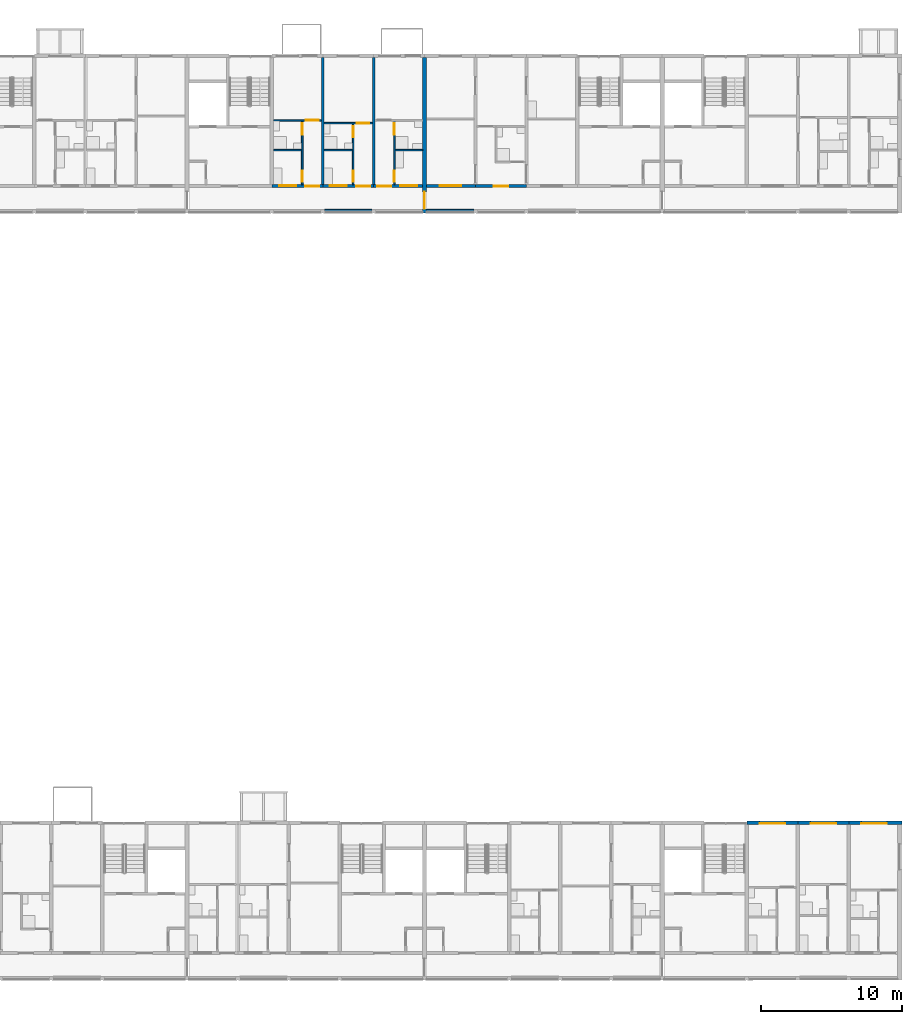
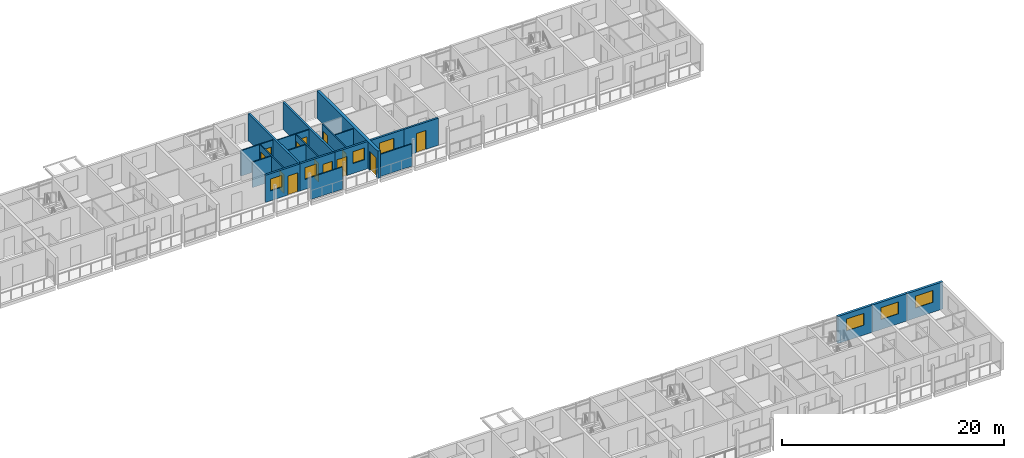
# One storey, part 56 of 98: 21 walls, 13 doors, 7 windows, 20 openings.
"""IFC4 building model written with IfcOpenShell, lengths in metres."""

from ifc_helpers import new_model, si_unit, direction, frame, frame_2d, origin, place, context, subcontext, project, spatial, rectangle, extrude, material, layer, layer_set, type_object, element, fill, save


model = new_model("IFC4")

# Units and contexts
model_context = context("Model", 3, precision=1e-05, world=origin(), true_north=direction((0.0, 1.0)))
body_context = subcontext(model_context, "Body", "Model", "MODEL_VIEW")
ifc_project = project(units=[si_unit("LENGTHUNIT", "METRE"), si_unit("AREAUNIT", "SQUARE_METRE"), si_unit("VOLUMEUNIT", "CUBIC_METRE"), si_unit("PLANEANGLEUNIT", "RADIAN"), si_unit("MASSUNIT", "GRAM", prefix="KILO")], contexts=[model_context])

# Site, building, storey
site_placement = place(None, origin())
site = spatial("IfcSite", under=ifc_project, at=site_placement, CompositionType="ELEMENT")
building_placement = place(site_placement, origin())
building = spatial("IfcBuilding", under=site, at=building_placement, Name="Ridgestep Commons", CompositionType="ELEMENT")
storey_placement = place(building_placement, frame((0.0, 0.0, 12.0)))
storey = spatial("IfcBuildingStorey", under=building, at=storey_placement, Name="L04", CompositionType="ELEMENT", Elevation=12.0)

# Walls
ifc_material_1 = material(Name="Precast concrete C40/50", Category="concrete")
ifc_layer_1 = layer(ifc_material_1, 0.199951171875)
ifc_layer_set_1 = layer_set([ifc_layer_1], Name="Cross wall 200")
wall_type_1 = type_object("IfcWallType", Name="Cross wall 200", PredefinedType="SHEAR", material=ifc_layer_set_1)
for number, where, z_axis, x_axis, name in (
    (1, (206.800048828125, 68.0, 0.0), (0.0, 0.0, 1.0), (0.0, 1.0, 0.0), "Cross wall C-04-2068"),
    (2, (210.39990234375, 68.0, 0.0), (0.0, 0.0, 1.0), (0.0, 1.0, 0.0), "Cross wall C-04-2104"),
):
    element("IfcWall", number, at=place(storey_placement, frame(where, z_axis=z_axis, x_axis=x_axis)), inside=storey, type_object=wall_type_1, Name=name, PredefinedType="SHEAR", context=body_context, shape_type="SweptSolid", body=[
        extrude(rectangle(XDim=9.0, YDim=0.199951171875, at=frame_2d((4.5, 0.0))), origin(), (0.0, 0.0, 1.0), 3.0),
    ])

# Wall, opening, door
ifc_material_2 = material(Name="Precast concrete C40/50", Category="concrete")
ifc_layer_2 = layer(ifc_material_2, 0.300048828125)
ifc_layer_set_2 = layer_set([ifc_layer_2], Name="Division wall 300")
wall_type_2 = type_object("IfcWallType", Name="Division wall 300", PredefinedType="SHEAR", material=ifc_layer_set_2)
wall_1_placement = place(storey_placement, frame((214.0, 66.0, 0.0), z_axis=(0.0, 0.0, 1.0), x_axis=(0.0, 1.0, 0.0)))
wall_1 = element("IfcWall", 3, at=wall_1_placement, inside=storey, type_object=wall_type_2, Name="Cross wall C-04-2140", PredefinedType="SHEAR", context=body_context, shape_type="SweptSolid", body=[
    extrude(rectangle(XDim=11.0, YDim=0.300048828125, at=frame_2d((5.5, 0.0))), origin(), (0.0, 0.0, 1.0), 3.0),
])
opening_1_placement = place(wall_1_placement, frame((0.300048828125, 0.0, 0.0)))
opening_1 = element("IfcOpeningElement", 4, at=opening_1_placement, cuts=wall_1, Name="Opening C/04/G2140", PredefinedType="OPENING", context=body_context, shape_type="SweptSolid", body=[
    extrude(rectangle(XDim=1.199951171875, YDim=2.10009765625, at=frame_2d((0.60009765625, 1.050048828125))), frame((0.0, 0.159912109375, 0.0), z_axis=(0.0, -1.0, 0.0), x_axis=(1.0, 0.0, 0.0)), (0.0, 0.0, 1.0), 0.320068359375),
])
ifc_material_3 = material(Name="Steel fire door", Category="steel")
door_type_1 = type_object("IfcDoorType", Name="Division fire door 1200 x 2100 EI 240", OperationType="DOUBLE_DOOR_SINGLE_SWING", PredefinedType="DOOR", material=ifc_material_3)
door_1_placement = place(opening_1_placement, origin())
door_1 = element("IfcDoor", 5, at=door_1_placement, inside=storey, type_object=door_type_1, Name="Division fire door C/04/G2140", OperationType="DOUBLE_DOOR_SINGLE_SWING", OverallHeight=2.10009765625, OverallWidth=1.199951171875, PredefinedType="DOOR", context=body_context, shape_type="SweptSolid", body=[
    extrude(rectangle(XDim=1.199951171875, YDim=2.10009765625, at=frame_2d((0.60009765625, 1.050048828125))), frame((0.0, 0.02490234375, 0.0), z_axis=(0.0, -1.0, 0.0), x_axis=(1.0, 0.0, 0.0)), (0.0, 0.0, 1.0), 0.050048828125),
])
fill(opening_1, door_1)

# Wall, opening, window
ifc_material_4 = material(Name="Precast concrete C40/50", Category="concrete")
ifc_layer_3 = layer(ifc_material_4, 0.25)
ifc_layer_set_3 = layer_set([ifc_layer_3], Name="North facade panel 250")
wall_type_3 = type_object("IfcWallType", Name="North facade panel 250", PredefinedType="SOLIDWALL", material=ifc_layer_set_3)
wall_2_placement = place(storey_placement, frame((236.800048828125, 22.875, 0.0), z_axis=(0.0, 0.0, 1.0), x_axis=(1.0, 0.0, 0.0)))
wall_2 = element("IfcWall", 6, at=wall_2_placement, inside=storey, type_object=wall_type_3, Name="North panel D6T3 L04", PredefinedType="SOLIDWALL", context=body_context, shape_type="SweptSolid", body=[
    extrude(rectangle(XDim=3.599853515625, YDim=0.25, at=frame_2d((1.7998046875, 0.0))), origin(), (0.0, 0.0, 1.0), 3.0),
])
opening_2_placement = place(wall_2_placement, frame((0.89990234375, 0.0, 1.10009765625)))
opening_2 = element("IfcOpeningElement", 7, at=opening_2_placement, cuts=wall_2, Name="Opening W18", PredefinedType="OPENING", context=body_context, shape_type="SweptSolid", body=[
    extrude(rectangle(XDim=1.800048828125, YDim=1.300048828125, at=frame_2d((0.89990234375, 0.64990234375))), frame((0.0, 0.135009765625, 0.0), z_axis=(0.0, -1.0, 0.0), x_axis=(1.0, 0.0, 0.0)), (0.0, 0.0, 1.0), 0.27001953125),
])
ifc_material_5 = material(Name="Aluminium 6063-T6 and glass", Category="aluminium")
window_type_1 = type_object("IfcWindowType", Name="Flat window 1800 x 1300", PartitioningType="DOUBLE_PANEL_VERTICAL", PredefinedType="WINDOW", material=ifc_material_5)
window_1_placement = place(opening_2_placement, origin())
window_1 = element("IfcWindow", 8, at=window_1_placement, inside=storey, type_object=window_type_1, Name="Window D6-04c 2", OverallHeight=1.300048828125, OverallWidth=1.800048828125, PartitioningType="SINGLE_PANEL", PredefinedType="WINDOW", context=body_context, shape_type="SweptSolid", body=[
    extrude(rectangle(XDim=1.800048828125, YDim=1.300048828125, at=frame_2d((0.89990234375, 0.64990234375))), frame((0.0, -0.02490234375, 0.0), z_axis=(0.0, -1.0, 0.0), x_axis=(1.0, 0.0, 0.0)), (0.0, 0.0, 1.0), 0.06005859375),
])
fill(opening_2, window_1)

wall_3_placement = place(storey_placement, frame((240.39990234375, 22.875, 0.0), z_axis=(0.0, 0.0, 1.0), x_axis=(1.0, 0.0, 0.0)))
wall_3 = element("IfcWall", 9, at=wall_3_placement, inside=storey, type_object=wall_type_3, Name="North panel D6T2 L04", PredefinedType="SOLIDWALL", context=body_context, shape_type="SweptSolid", body=[
    extrude(rectangle(XDim=3.60009765625, YDim=0.25, at=frame_2d((1.800048828125, 0.0))), origin(), (0.0, 0.0, 1.0), 3.0),
])
opening_3_placement = place(wall_3_placement, frame((0.89990234375, 0.0, 1.10009765625)))
opening_3 = element("IfcOpeningElement", 10, at=opening_3_placement, cuts=wall_3, Name="Opening W18", PredefinedType="OPENING", context=body_context, shape_type="SweptSolid", body=[
    extrude(rectangle(XDim=1.800048828125, YDim=1.300048828125, at=frame_2d((0.89990234375, 0.64990234375))), frame((0.0, 0.135009765625, 0.0), z_axis=(0.0, -1.0, 0.0), x_axis=(1.0, 0.0, 0.0)), (0.0, 0.0, 1.0), 0.27001953125),
])
window_2_placement = place(opening_3_placement, origin())
window_2 = element("IfcWindow", 11, at=window_2_placement, inside=storey, type_object=window_type_1, Name="Window D6-04b 2", OverallHeight=1.300048828125, OverallWidth=1.800048828125, PartitioningType="SINGLE_PANEL", PredefinedType="WINDOW", context=body_context, shape_type="SweptSolid", body=[
    extrude(rectangle(XDim=1.800048828125, YDim=1.300048828125, at=frame_2d((0.89990234375, 0.64990234375))), frame((0.0, -0.02490234375, 0.0), z_axis=(0.0, -1.0, 0.0), x_axis=(1.0, 0.0, 0.0)), (0.0, 0.0, 1.0), 0.06005859375),
])
fill(opening_3, window_2)

wall_4_placement = place(storey_placement, frame((244.0, 22.875, 0.0), z_axis=(0.0, 0.0, 1.0), x_axis=(1.0, 0.0, 0.0)))
wall_4 = element("IfcWall", 12, at=wall_4_placement, inside=storey, type_object=wall_type_3, Name="North panel D6T1 L04", PredefinedType="SOLIDWALL", context=body_context, shape_type="SweptSolid", body=[
    extrude(rectangle(XDim=3.75, YDim=0.25, at=frame_2d((1.875, 0.0))), origin(), (0.0, 0.0, 1.0), 3.0),
])
opening_4_placement = place(wall_4_placement, frame((0.887451171875, 0.0, 1.10009765625)))
opening_4 = element("IfcOpeningElement", 13, at=opening_4_placement, cuts=wall_4, Name="Opening W18", PredefinedType="OPENING", context=body_context, shape_type="SweptSolid", body=[
    extrude(rectangle(XDim=1.800048828125, YDim=1.300048828125, at=frame_2d((0.89990234375, 0.64990234375))), frame((0.0, 0.135009765625, 0.0), z_axis=(0.0, -1.0, 0.0), x_axis=(1.0, 0.0, 0.0)), (0.0, 0.0, 1.0), 0.27001953125),
])
window_3_placement = place(opening_4_placement, origin())
window_3 = element("IfcWindow", 14, at=window_3_placement, inside=storey, type_object=window_type_1, Name="Window D6-04a 2", OverallHeight=1.300048828125, OverallWidth=1.800048828125, PartitioningType="SINGLE_PANEL", PredefinedType="WINDOW", context=body_context, shape_type="SweptSolid", body=[
    extrude(rectangle(XDim=1.800048828125, YDim=1.300048828125, at=frame_2d((0.89990234375, 0.64990234375))), frame((0.0, -0.02490234375, 0.0), z_axis=(0.0, -1.0, 0.0), x_axis=(1.0, 0.0, 0.0)), (0.0, 0.0, 1.0), 0.06005859375),
])
fill(opening_4, window_3)

# Wall, openings, doors
ifc_material_6 = material(Name="Common brick 110 mm", Category="masonry")
ifc_layer_4 = layer(ifc_material_6, 0.110107421875)
ifc_layer_set_4 = layer_set([ifc_layer_4], Name="Partition 110")
wall_type_4 = type_object("IfcWallType", Name="Partition 110", PredefinedType="PARTITIONING", material=ifc_layer_set_4)
wall_5_placement = place(storey_placement, frame((211.85498046875, 68.0, 0.0), z_axis=(0.0, 0.0, 1.0), x_axis=(0.0, 1.0, 0.0)))
wall_5 = element("IfcWall", 15, at=wall_5_placement, inside=storey, type_object=wall_type_4, Name="Partition C4-04a", PredefinedType="PARTITIONING", context=body_context, shape_type="SweptSolid", body=[
    extrude(rectangle(XDim=4.5, YDim=0.110107421875, at=frame_2d((2.25, 0.0))), origin(), (0.0, 0.0, 1.0), 2.800048828125),
])
opening_5_placement = place(wall_5_placement, frame((0.199951171875, 0.0, 0.0)))
opening_5 = element("IfcOpeningElement", 16, at=opening_5_placement, cuts=wall_5, Name="Opening C4-04a/2", PredefinedType="OPENING", context=body_context, shape_type="SweptSolid", body=[
    extrude(rectangle(XDim=0.800048828125, YDim=2.10009765625, at=frame_2d((0.39990234375, 1.050048828125))), frame((0.0, 0.06494140625, 0.0), z_axis=(0.0, -1.0, 0.0), x_axis=(1.0, 0.0, 0.0)), (0.0, 0.0, 1.0), 0.130126953125),
])
opening_6_placement = place(wall_5_placement, frame((3.550048828125, 0.0, 0.0)))
opening_6 = element("IfcOpeningElement", 17, at=opening_6_placement, cuts=wall_5, Name="Opening C4-04a/3", PredefinedType="OPENING", context=body_context, shape_type="SweptSolid", body=[
    extrude(rectangle(XDim=0.800048828125, YDim=2.10009765625, at=frame_2d((0.39990234375, 1.050048828125))), frame((0.0, 0.06494140625, 0.0), z_axis=(0.0, -1.0, 0.0), x_axis=(1.0, 0.0, 0.0)), (0.0, 0.0, 1.0), 0.130126953125),
])
ifc_material_7 = material(Name="Timber door leaf", Category="wood")
door_type_2 = type_object("IfcDoorType", Name="Internal door 800 x 2100", OperationType="NOTDEFINED", PredefinedType="DOOR", material=ifc_material_7)
door_2_placement = place(opening_5_placement, origin())
door_2 = element("IfcDoor", 18, at=door_2_placement, inside=storey, type_object=door_type_2, Name="Internal door C4-04a/2", OperationType="SINGLE_SWING_RIGHT", OverallHeight=2.10009765625, OverallWidth=0.800048828125, PredefinedType="DOOR", context=body_context, shape_type="SweptSolid", body=[
    extrude(rectangle(XDim=0.800048828125, YDim=2.10009765625, at=frame_2d((0.39990234375, 1.050048828125))), frame((0.0, 0.02490234375, 0.0), z_axis=(0.0, -1.0, 0.0), x_axis=(1.0, 0.0, 0.0)), (0.0, 0.0, 1.0), 0.050048828125),
])
fill(opening_5, door_2)
door_3_placement = place(opening_6_placement, origin())
door_3 = element("IfcDoor", 19, at=door_3_placement, inside=storey, type_object=door_type_2, Name="Internal door C4-04a/3", OperationType="SINGLE_SWING_LEFT", OverallHeight=2.10009765625, OverallWidth=0.800048828125, PredefinedType="DOOR", context=body_context, shape_type="SweptSolid", body=[
    extrude(rectangle(XDim=0.800048828125, YDim=2.10009765625, at=frame_2d((0.39990234375, 1.050048828125))), frame((0.0, 0.02490234375, 0.0), z_axis=(0.0, -1.0, 0.0), x_axis=(1.0, 0.0, 0.0)), (0.0, 0.0, 1.0), 0.050048828125),
])
fill(opening_6, door_3)

# Walls
wall_6_placement = place(storey_placement, frame((211.909912109375, 70.455078125, 0.0), z_axis=(0.0, 0.0, 1.0), x_axis=(1.0, 0.0, 0.0)))
element("IfcWall", 20, at=wall_6_placement, inside=storey, type_object=wall_type_4, Name="Partition C4-04a", PredefinedType="PARTITIONING", context=body_context, shape_type="SweptSolid", body=[
    extrude(rectangle(XDim=1.940185546875, YDim=0.110107421875, at=frame_2d((0.97021484375, 0.0))), origin(), (0.0, 0.0, 1.0), 2.800048828125),
])
wall_7_placement = place(storey_placement, frame((206.89990234375, 70.455078125, 0.0), z_axis=(0.0, 0.0, 1.0), x_axis=(1.0, 0.0, 0.0)))
element("IfcWall", 21, at=wall_7_placement, inside=storey, type_object=wall_type_4, Name="Partition C4-04b", PredefinedType="PARTITIONING", context=body_context, shape_type="SweptSolid", body=[
    extrude(rectangle(XDim=1.989990234375, YDim=0.110107421875, at=frame_2d((0.9951171875, 0.0))), origin(), (0.0, 0.0, 1.0), 2.800048828125),
])

# Wall, openings, doors
wall_8_placement = place(storey_placement, frame((208.945068359375, 68.0, 0.0), z_axis=(0.0, 0.0, 1.0), x_axis=(0.0, 1.0, 0.0)))
wall_8 = element("IfcWall", 22, at=wall_8_placement, inside=storey, type_object=wall_type_4, Name="Partition C4-04b", PredefinedType="PARTITIONING", context=body_context, shape_type="SweptSolid", body=[
    extrude(rectangle(XDim=4.300048828125, YDim=0.110107421875, at=frame_2d((2.14990234375, 0.0))), origin(), (0.0, 0.0, 1.0), 2.800048828125),
])
opening_7_placement = place(wall_8_placement, frame((0.199951171875, 0.0, 0.0)))
opening_7 = element("IfcOpeningElement", 23, at=opening_7_placement, cuts=wall_8, Name="Opening C4-04b/2", PredefinedType="OPENING", context=body_context, shape_type="SweptSolid", body=[
    extrude(rectangle(XDim=0.800048828125, YDim=2.10009765625, at=frame_2d((0.39990234375, 1.050048828125))), frame((0.0, 0.06494140625, 0.0), z_axis=(0.0, -1.0, 0.0), x_axis=(1.0, 0.0, 0.0)), (0.0, 0.0, 1.0), 0.130126953125),
])
opening_8_placement = place(wall_8_placement, frame((3.35009765625, 0.0, 0.0)))
opening_8 = element("IfcOpeningElement", 24, at=opening_8_placement, cuts=wall_8, Name="Opening C4-04b/3", PredefinedType="OPENING", context=body_context, shape_type="SweptSolid", body=[
    extrude(rectangle(XDim=0.800048828125, YDim=2.10009765625, at=frame_2d((0.39990234375, 1.050048828125))), frame((0.0, 0.06494140625, 0.0), z_axis=(0.0, -1.0, 0.0), x_axis=(1.0, 0.0, 0.0)), (0.0, 0.0, 1.0), 0.130126953125),
])
door_4_placement = place(opening_7_placement, origin())
door_4 = element("IfcDoor", 25, at=door_4_placement, inside=storey, type_object=door_type_2, Name="Internal door C4-04b/2", OperationType="SINGLE_SWING_LEFT", OverallHeight=2.10009765625, OverallWidth=0.800048828125, PredefinedType="DOOR", context=body_context, shape_type="SweptSolid", body=[
    extrude(rectangle(XDim=0.800048828125, YDim=2.10009765625, at=frame_2d((0.39990234375, 1.050048828125))), frame((0.0, 0.02490234375, 0.0), z_axis=(0.0, -1.0, 0.0), x_axis=(1.0, 0.0, 0.0)), (0.0, 0.0, 1.0), 0.050048828125),
])
fill(opening_7, door_4)
door_5_placement = place(opening_8_placement, origin())
door_5 = element("IfcDoor", 26, at=door_5_placement, inside=storey, type_object=door_type_2, Name="Internal door C4-04b/3", OperationType="SINGLE_SWING_RIGHT", OverallHeight=2.10009765625, OverallWidth=0.800048828125, PredefinedType="DOOR", context=body_context, shape_type="SweptSolid", body=[
    extrude(rectangle(XDim=0.800048828125, YDim=2.10009765625, at=frame_2d((0.39990234375, 1.050048828125))), frame((0.0, 0.02490234375, 0.0), z_axis=(0.0, -1.0, 0.0), x_axis=(1.0, 0.0, 0.0)), (0.0, 0.0, 1.0), 0.050048828125),
])
fill(opening_8, door_5)

# Wall, opening, door
wall_9_placement = place(storey_placement, frame((206.89990234375, 72.35498046875, 0.0), z_axis=(0.0, 0.0, 1.0), x_axis=(1.0, 0.0, 0.0)))
wall_9 = element("IfcWall", 27, at=wall_9_placement, inside=storey, type_object=wall_type_4, Name="Partition C4-04b", PredefinedType="PARTITIONING", context=body_context, shape_type="SweptSolid", body=[
    extrude(rectangle(XDim=3.400146484375, YDim=0.110107421875, at=frame_2d((1.7001953125, 0.0))), origin(), (0.0, 0.0, 1.0), 2.800048828125),
])
opening_9_placement = place(wall_9_placement, frame((2.300048828125, 0.0, 0.0)))
opening_9 = element("IfcOpeningElement", 28, at=opening_9_placement, cuts=wall_9, Name="Opening C4-04b/4", PredefinedType="OPENING", context=body_context, shape_type="SweptSolid", body=[
    extrude(rectangle(XDim=0.89990234375, YDim=2.10009765625, at=frame_2d((0.449951171875, 1.050048828125))), frame((0.0, 0.06494140625, 0.0), z_axis=(0.0, -1.0, 0.0), x_axis=(1.0, 0.0, 0.0)), (0.0, 0.0, 1.0), 0.130126953125),
])
ifc_material_8 = material(Name="Timber door leaf", Category="wood")
door_type_3 = type_object("IfcDoorType", Name="Internal door 900 x 2100", OperationType="NOTDEFINED", PredefinedType="DOOR", material=ifc_material_8)
door_6_placement = place(opening_9_placement, origin())
door_6 = element("IfcDoor", 29, at=door_6_placement, inside=storey, type_object=door_type_3, Name="Internal door C4-04b/4", OperationType="SINGLE_SWING_LEFT", OverallHeight=2.10009765625, OverallWidth=0.89990234375, PredefinedType="DOOR", context=body_context, shape_type="SweptSolid", body=[
    extrude(rectangle(XDim=0.89990234375, YDim=2.10009765625, at=frame_2d((0.449951171875, 1.050048828125))), frame((0.0, 0.02490234375, 0.0), z_axis=(0.0, -1.0, 0.0), x_axis=(1.0, 0.0, 0.0)), (0.0, 0.0, 1.0), 0.050048828125),
])
fill(opening_9, door_6)

# Wall
wall_10_placement = place(storey_placement, frame((203.324951171875, 70.455078125, 0.0), z_axis=(0.0, 0.0, 1.0), x_axis=(1.0, 0.0, 0.0)))
element("IfcWall", 30, at=wall_10_placement, inside=storey, type_object=wall_type_4, Name="Partition C4-04c", PredefinedType="PARTITIONING", context=body_context, shape_type="SweptSolid", body=[
    extrude(rectangle(XDim=1.965087890625, YDim=0.110107421875, at=frame_2d((0.982421875, 0.0))), origin(), (0.0, 0.0, 1.0), 2.800048828125),
])

# Wall, openings, doors
wall_11_placement = place(storey_placement, frame((205.344970703125, 68.0, 0.0), z_axis=(0.0, 0.0, 1.0), x_axis=(0.0, 1.0, 0.0)))
wall_11 = element("IfcWall", 31, at=wall_11_placement, inside=storey, type_object=wall_type_4, Name="Partition C4-04c", PredefinedType="PARTITIONING", context=body_context, shape_type="SweptSolid", body=[
    extrude(rectangle(XDim=4.5, YDim=0.110107421875, at=frame_2d((2.25, 0.0))), origin(), (0.0, 0.0, 1.0), 2.800048828125),
])
opening_10_placement = place(wall_11_placement, frame((0.199951171875, 0.0, 0.0)))
opening_10 = element("IfcOpeningElement", 32, at=opening_10_placement, cuts=wall_11, Name="Opening C4-04c/2", PredefinedType="OPENING", context=body_context, shape_type="SweptSolid", body=[
    extrude(rectangle(XDim=0.800048828125, YDim=2.10009765625, at=frame_2d((0.39990234375, 1.050048828125))), frame((0.0, 0.06494140625, 0.0), z_axis=(0.0, -1.0, 0.0), x_axis=(1.0, 0.0, 0.0)), (0.0, 0.0, 1.0), 0.130126953125),
])
opening_11_placement = place(wall_11_placement, frame((3.550048828125, 0.0, 0.0)))
opening_11 = element("IfcOpeningElement", 33, at=opening_11_placement, cuts=wall_11, Name="Opening C4-04c/3", PredefinedType="OPENING", context=body_context, shape_type="SweptSolid", body=[
    extrude(rectangle(XDim=0.800048828125, YDim=2.10009765625, at=frame_2d((0.39990234375, 1.050048828125))), frame((0.0, 0.06494140625, 0.0), z_axis=(0.0, -1.0, 0.0), x_axis=(1.0, 0.0, 0.0)), (0.0, 0.0, 1.0), 0.130126953125),
])
door_7_placement = place(opening_10_placement, origin())
door_7 = element("IfcDoor", 34, at=door_7_placement, inside=storey, type_object=door_type_2, Name="Internal door C4-04c/2", OperationType="SINGLE_SWING_LEFT", OverallHeight=2.10009765625, OverallWidth=0.800048828125, PredefinedType="DOOR", context=body_context, shape_type="SweptSolid", body=[
    extrude(rectangle(XDim=0.800048828125, YDim=2.10009765625, at=frame_2d((0.39990234375, 1.050048828125))), frame((0.0, 0.02490234375, 0.0), z_axis=(0.0, -1.0, 0.0), x_axis=(1.0, 0.0, 0.0)), (0.0, 0.0, 1.0), 0.050048828125),
])
fill(opening_10, door_7)
door_8_placement = place(opening_11_placement, origin())
door_8 = element("IfcDoor", 35, at=door_8_placement, inside=storey, type_object=door_type_2, Name="Internal door C4-04c/3", OperationType="SINGLE_SWING_RIGHT", OverallHeight=2.10009765625, OverallWidth=0.800048828125, PredefinedType="DOOR", context=body_context, shape_type="SweptSolid", body=[
    extrude(rectangle(XDim=0.800048828125, YDim=2.10009765625, at=frame_2d((0.39990234375, 1.050048828125))), frame((0.0, 0.02490234375, 0.0), z_axis=(0.0, -1.0, 0.0), x_axis=(1.0, 0.0, 0.0)), (0.0, 0.0, 1.0), 0.050048828125),
])
fill(opening_11, door_8)

# Wall, opening, door
wall_12_placement = place(storey_placement, frame((203.324951171875, 72.554931640625, 0.0), z_axis=(0.0, 0.0, 1.0), x_axis=(1.0, 0.0, 0.0)))
wall_12 = element("IfcWall", 36, at=wall_12_placement, inside=storey, type_object=wall_type_4, Name="Partition C4-04c", PredefinedType="PARTITIONING", context=body_context, shape_type="SweptSolid", body=[
    extrude(rectangle(XDim=3.375, YDim=0.110107421875, at=frame_2d((1.6875, 0.0))), origin(), (0.0, 0.0, 1.0), 2.800048828125),
])
opening_12_placement = place(wall_12_placement, frame((2.27490234375, 0.0, 0.0)))
opening_12 = element("IfcOpeningElement", 37, at=opening_12_placement, cuts=wall_12, Name="Opening C4-04c/4", PredefinedType="OPENING", context=body_context, shape_type="SweptSolid", body=[
    extrude(rectangle(XDim=0.89990234375, YDim=2.10009765625, at=frame_2d((0.449951171875, 1.050048828125))), frame((0.0, 0.06494140625, 0.0), z_axis=(0.0, -1.0, 0.0), x_axis=(1.0, 0.0, 0.0)), (0.0, 0.0, 1.0), 0.130126953125),
])
door_9_placement = place(opening_12_placement, origin())
door_9 = element("IfcDoor", 38, at=door_9_placement, inside=storey, type_object=door_type_3, Name="Internal door C4-04c/4", OperationType="SINGLE_SWING_LEFT", OverallHeight=2.10009765625, OverallWidth=0.89990234375, PredefinedType="DOOR", context=body_context, shape_type="SweptSolid", body=[
    extrude(rectangle(XDim=0.89990234375, YDim=2.10009765625, at=frame_2d((0.449951171875, 1.050048828125))), frame((0.0, 0.02490234375, 0.0), z_axis=(0.0, -1.0, 0.0), x_axis=(1.0, 0.0, 0.0)), (0.0, 0.0, 1.0), 0.050048828125),
])
fill(opening_12, door_9)

# Walls
ifc_material_9 = material(Name="Precast concrete C30/37", Category="concrete")
ifc_layer_5 = layer(ifc_material_9, 0.10009765625)
ifc_layer_set_5 = layer_set([ifc_layer_5], Name="Perforated gallery screen 3325 x 2450 x 100")
wall_type_5 = type_object("IfcWallType", Name="Perforated gallery screen 3325 x 2450 x 100", PredefinedType="SOLIDWALL", material=ifc_layer_set_5)
wall_13_placement = place(storey_placement, frame((214.14990234375, 66.199951171875, 0.0), z_axis=(0.0, 0.0, 1.0), x_axis=(1.0, 0.0, 0.0)))
element("IfcWall", 39, at=wall_13_placement, inside=storey, type_object=wall_type_5, Name="Gallery screen C5T1 04", PredefinedType="SOLIDWALL", context=body_context, shape_type="SweptSolid", body=[
    extrude(rectangle(XDim=3.3251953125, YDim=0.10009765625, at=frame_2d((1.66259765625, 0.0))), origin(), (0.0, 0.0, 1.0), 2.449951171875),
])
ifc_material_10 = material(Name="Precast concrete C30/37", Category="concrete")
ifc_layer_6 = layer(ifc_material_10, 0.10009765625)
ifc_layer_set_6 = layer_set([ifc_layer_6], Name="Perforated gallery screen 3350 x 2450 x 100")
wall_type_6 = type_object("IfcWallType", Name="Perforated gallery screen 3350 x 2450 x 100", PredefinedType="SOLIDWALL", material=ifc_layer_set_6)
wall_14_placement = place(storey_placement, frame((206.925048828125, 66.199951171875, 0.0), z_axis=(0.0, 0.0, 1.0), x_axis=(1.0, 0.0, 0.0)))
element("IfcWall", 40, at=wall_14_placement, inside=storey, type_object=wall_type_6, Name="Gallery screen C4T2 04", PredefinedType="SOLIDWALL", context=body_context, shape_type="SweptSolid", body=[
    extrude(rectangle(XDim=3.349853515625, YDim=0.10009765625, at=frame_2d((1.6748046875, 0.0))), origin(), (0.0, 0.0, 1.0), 2.449951171875),
])

# Wall, openings, door, window
ifc_material_11 = material(Name="Precast concrete C40/50", Category="concrete")
ifc_layer_7 = layer(ifc_material_11, 0.199951171875)
ifc_layer_set_7 = layer_set([ifc_layer_7], Name="South facade panel 200")
wall_type_7 = type_object("IfcWallType", Name="South facade panel 200", PredefinedType="SOLIDWALL", material=ifc_layer_set_7)
wall_15_placement = place(storey_placement, frame((203.199951171875, 67.89990234375, 0.0), z_axis=(0.0, 0.0, 1.0), x_axis=(1.0, 0.0, 0.0)))
wall_15 = element("IfcWall", 41, at=wall_15_placement, inside=storey, type_object=wall_type_7, Name="South panel C4T3 L04", PredefinedType="SOLIDWALL", context=body_context, shape_type="SweptSolid", body=[
    extrude(rectangle(XDim=3.60009765625, YDim=0.199951171875, at=frame_2d((1.800048828125, 0.0))), origin(), (0.0, 0.0, 1.0), 3.0),
])
opening_13_placement = place(wall_15_placement, frame((0.507568359375, 0.0, 1.10009765625)))
opening_13 = element("IfcOpeningElement", 42, at=opening_13_placement, cuts=wall_15, Name="Opening W08", PredefinedType="OPENING", context=body_context, shape_type="SweptSolid", body=[
    extrude(rectangle(XDim=1.199951171875, YDim=1.300048828125, at=frame_2d((0.60009765625, 0.64990234375))), frame((0.0, 0.10986328125, 0.0), z_axis=(0.0, -1.0, 0.0), x_axis=(1.0, 0.0, 0.0)), (0.0, 0.0, 1.0), 0.219970703125),
])
opening_14_placement = place(wall_15_placement, frame((2.35009765625, 0.0, 0.0)))
opening_14 = element("IfcOpeningElement", 43, at=opening_14_placement, cuts=wall_15, Name="Opening C4-04c/1", PredefinedType="OPENING", context=body_context, shape_type="SweptSolid", body=[
    extrude(rectangle(XDim=1.0, YDim=2.10009765625, at=frame_2d((0.5, 1.050048828125))), frame((0.0, 0.10986328125, 0.0), z_axis=(0.0, -1.0, 0.0), x_axis=(1.0, 0.0, 0.0)), (0.0, 0.0, 1.0), 0.219970703125),
])
ifc_material_12 = material(Name="Timber door leaf", Category="wood")
door_type_4 = type_object("IfcDoorType", Name="Flat entrance door 1000 x 2100 FD30S", OperationType="NOTDEFINED", PredefinedType="DOOR", material=ifc_material_12)
door_10_placement = place(opening_14_placement, origin())
door_10 = element("IfcDoor", 44, at=door_10_placement, inside=storey, type_object=door_type_4, Name="Flat entrance door C4-04c/1", OperationType="SINGLE_SWING_RIGHT", OverallHeight=2.10009765625, OverallWidth=1.0, PredefinedType="DOOR", context=body_context, shape_type="SweptSolid", body=[
    extrude(rectangle(XDim=1.0, YDim=2.10009765625, at=frame_2d((0.5, 1.050048828125))), frame((0.0, 0.02490234375, 0.0), z_axis=(0.0, -1.0, 0.0), x_axis=(1.0, 0.0, 0.0)), (0.0, 0.0, 1.0), 0.050048828125),
])
fill(opening_14, door_10)
ifc_material_13 = material(Name="Aluminium 6063-T6 and glass", Category="aluminium")
window_type_2 = type_object("IfcWindowType", Name="Flat window 1200 x 1300", PartitioningType="SINGLE_PANEL", PredefinedType="WINDOW", material=ifc_material_13)
window_4_placement = place(opening_13_placement, origin())
window_4 = element("IfcWindow", 45, at=window_4_placement, inside=storey, type_object=window_type_2, Name="Window C4-04c 1", OverallHeight=1.300048828125, OverallWidth=1.199951171875, PartitioningType="SINGLE_PANEL", PredefinedType="WINDOW", context=body_context, shape_type="SweptSolid", body=[
    extrude(rectangle(XDim=1.199951171875, YDim=1.300048828125, at=frame_2d((0.60009765625, 0.64990234375))), frame((0.0, 0.06005859375, 0.0), z_axis=(0.0, -1.0, 0.0), x_axis=(1.0, 0.0, 0.0)), (0.0, 0.0, 1.0), 0.06005859375),
])
fill(opening_13, window_4)

wall_16_placement = place(storey_placement, frame((206.800048828125, 67.89990234375, 0.0), z_axis=(0.0, 0.0, 1.0), x_axis=(1.0, 0.0, 0.0)))
wall_16 = element("IfcWall", 46, at=wall_16_placement, inside=storey, type_object=wall_type_7, Name="South panel C4T2 L04", PredefinedType="SOLIDWALL", context=body_context, shape_type="SweptSolid", body=[
    extrude(rectangle(XDim=3.599853515625, YDim=0.199951171875, at=frame_2d((1.7998046875, 0.0))), origin(), (0.0, 0.0, 1.0), 3.0),
])
opening_15_placement = place(wall_16_placement, frame((0.4951171875, 0.0, 1.10009765625)))
opening_15 = element("IfcOpeningElement", 47, at=opening_15_placement, cuts=wall_16, Name="Opening W08", PredefinedType="OPENING", context=body_context, shape_type="SweptSolid", body=[
    extrude(rectangle(XDim=1.199951171875, YDim=1.300048828125, at=frame_2d((0.60009765625, 0.64990234375))), frame((0.0, 0.10986328125, 0.0), z_axis=(0.0, -1.0, 0.0), x_axis=(1.0, 0.0, 0.0)), (0.0, 0.0, 1.0), 0.219970703125),
])
opening_16_placement = place(wall_16_placement, frame((2.35009765625, 0.0, 0.0)))
opening_16 = element("IfcOpeningElement", 48, at=opening_16_placement, cuts=wall_16, Name="Opening C4-04b/1", PredefinedType="OPENING", context=body_context, shape_type="SweptSolid", body=[
    extrude(rectangle(XDim=1.0, YDim=2.10009765625, at=frame_2d((0.5, 1.050048828125))), frame((0.0, 0.10986328125, 0.0), z_axis=(0.0, -1.0, 0.0), x_axis=(1.0, 0.0, 0.0)), (0.0, 0.0, 1.0), 0.219970703125),
])
door_11_placement = place(opening_16_placement, origin())
door_11 = element("IfcDoor", 49, at=door_11_placement, inside=storey, type_object=door_type_4, Name="Flat entrance door C4-04b/1", OperationType="SINGLE_SWING_RIGHT", OverallHeight=2.10009765625, OverallWidth=1.0, PredefinedType="DOOR", context=body_context, shape_type="SweptSolid", body=[
    extrude(rectangle(XDim=1.0, YDim=2.10009765625, at=frame_2d((0.5, 1.050048828125))), frame((0.0, 0.02490234375, 0.0), z_axis=(0.0, -1.0, 0.0), x_axis=(1.0, 0.0, 0.0)), (0.0, 0.0, 1.0), 0.050048828125),
])
fill(opening_16, door_11)
window_5_placement = place(opening_15_placement, origin())
window_5 = element("IfcWindow", 50, at=window_5_placement, inside=storey, type_object=window_type_2, Name="Window C4-04b 1", OverallHeight=1.300048828125, OverallWidth=1.199951171875, PartitioningType="SINGLE_PANEL", PredefinedType="WINDOW", context=body_context, shape_type="SweptSolid", body=[
    extrude(rectangle(XDim=1.199951171875, YDim=1.300048828125, at=frame_2d((0.60009765625, 0.64990234375))), frame((0.0, 0.06005859375, 0.0), z_axis=(0.0, -1.0, 0.0), x_axis=(1.0, 0.0, 0.0)), (0.0, 0.0, 1.0), 0.06005859375),
])
fill(opening_15, window_5)

wall_17_placement = place(storey_placement, frame((210.39990234375, 67.89990234375, 0.0), z_axis=(0.0, 0.0, 1.0), x_axis=(1.0, 0.0, 0.0)))
wall_17 = element("IfcWall", 51, at=wall_17_placement, inside=storey, type_object=wall_type_7, Name="South panel C4T1 L04", PredefinedType="SOLIDWALL", context=body_context, shape_type="SweptSolid", body=[
    extrude(rectangle(XDim=3.4501953125, YDim=0.199951171875, at=frame_2d((1.72509765625, 0.0))), origin(), (0.0, 0.0, 1.0), 3.0),
])
opening_17_placement = place(wall_17_placement, frame((1.8798828125, 0.0, 1.10009765625)))
opening_17 = element("IfcOpeningElement", 52, at=opening_17_placement, cuts=wall_17, Name="Opening W08", PredefinedType="OPENING", context=body_context, shape_type="SweptSolid", body=[
    extrude(rectangle(XDim=1.199951171875, YDim=1.300048828125, at=frame_2d((0.60009765625, 0.64990234375))), frame((0.0, 0.10986328125, 0.0), z_axis=(0.0, -1.0, 0.0), x_axis=(1.0, 0.0, 0.0)), (0.0, 0.0, 1.0), 0.219970703125),
])
opening_18_placement = place(wall_17_placement, frame((0.25, 0.0, 0.0)))
opening_18 = element("IfcOpeningElement", 53, at=opening_18_placement, cuts=wall_17, Name="Opening C4-04a/1", PredefinedType="OPENING", context=body_context, shape_type="SweptSolid", body=[
    extrude(rectangle(XDim=1.0, YDim=2.10009765625, at=frame_2d((0.5, 1.050048828125))), frame((0.0, 0.10986328125, 0.0), z_axis=(0.0, -1.0, 0.0), x_axis=(1.0, 0.0, 0.0)), (0.0, 0.0, 1.0), 0.219970703125),
])
door_12_placement = place(opening_18_placement, origin())
door_12 = element("IfcDoor", 54, at=door_12_placement, inside=storey, type_object=door_type_4, Name="Flat entrance door C4-04a/1", OperationType="SINGLE_SWING_LEFT", OverallHeight=2.10009765625, OverallWidth=1.0, PredefinedType="DOOR", context=body_context, shape_type="SweptSolid", body=[
    extrude(rectangle(XDim=1.0, YDim=2.10009765625, at=frame_2d((0.5, 1.050048828125))), frame((0.0, 0.02490234375, 0.0), z_axis=(0.0, -1.0, 0.0), x_axis=(1.0, 0.0, 0.0)), (0.0, 0.0, 1.0), 0.050048828125),
])
fill(opening_18, door_12)
window_6_placement = place(opening_17_placement, origin())
window_6 = element("IfcWindow", 55, at=window_6_placement, inside=storey, type_object=window_type_2, Name="Window C4-04a 1", OverallHeight=1.300048828125, OverallWidth=1.199951171875, PartitioningType="SINGLE_PANEL", PredefinedType="WINDOW", context=body_context, shape_type="SweptSolid", body=[
    extrude(rectangle(XDim=1.199951171875, YDim=1.300048828125, at=frame_2d((0.60009765625, 0.64990234375))), frame((0.0, 0.06005859375, 0.0), z_axis=(0.0, -1.0, 0.0), x_axis=(1.0, 0.0, 0.0)), (0.0, 0.0, 1.0), 0.06005859375),
])
fill(opening_17, window_6)

# Wall, opening, window
wall_18_placement = place(storey_placement, frame((214.14990234375, 67.89990234375, 0.0), z_axis=(0.0, 0.0, 1.0), x_axis=(1.0, 0.0, 0.0)))
wall_18 = element("IfcWall", 56, at=wall_18_placement, inside=storey, type_object=wall_type_7, Name="South panel C5T1 L04", PredefinedType="SOLIDWALL", context=body_context, shape_type="SweptSolid", body=[
    extrude(rectangle(XDim=3.4501953125, YDim=0.199951171875, at=frame_2d((1.72509765625, 0.0))), origin(), (0.0, 0.0, 1.0), 3.0),
])
opening_19_placement = place(wall_18_placement, frame((0.925048828125, 0.0, 0.89990234375)))
opening_19 = element("IfcOpeningElement", 57, at=opening_19_placement, cuts=wall_18, Name="Opening W16", PredefinedType="OPENING", context=body_context, shape_type="SweptSolid", body=[
    extrude(rectangle(XDim=1.5, YDim=1.5, at=frame_2d((0.75, 0.75))), frame((0.0, 0.10986328125, 0.0), z_axis=(0.0, -1.0, 0.0), x_axis=(1.0, 0.0, 0.0)), (0.0, 0.0, 1.0), 0.219970703125),
])
ifc_material_14 = material(Name="Aluminium 6063-T6 and glass", Category="aluminium")
window_type_3 = type_object("IfcWindowType", Name="Flat window 1500 x 1500", PartitioningType="DOUBLE_PANEL_VERTICAL", PredefinedType="WINDOW", material=ifc_material_14)
window_7_placement = place(opening_19_placement, origin())
window_7 = element("IfcWindow", 58, at=window_7_placement, inside=storey, type_object=window_type_3, Name="Window C5-04a 1", OverallHeight=1.5, OverallWidth=1.5, PartitioningType="SINGLE_PANEL", PredefinedType="WINDOW", context=body_context, shape_type="SweptSolid", body=[
    extrude(rectangle(XDim=1.5, YDim=1.5, at=frame_2d((0.75, 0.75))), frame((0.0, 0.06005859375, 0.0), z_axis=(0.0, -1.0, 0.0), x_axis=(1.0, 0.0, 0.0)), (0.0, 0.0, 1.0), 0.06005859375),
])
fill(opening_19, window_7)

# Wall, opening, door
wall_19_placement = place(storey_placement, frame((217.60009765625, 67.89990234375, 0.0), z_axis=(0.0, 0.0, 1.0), x_axis=(1.0, 0.0, 0.0)))
wall_19 = element("IfcWall", 59, at=wall_19_placement, inside=storey, type_object=wall_type_7, Name="South panel C5T2 L04", PredefinedType="SOLIDWALL", context=body_context, shape_type="SweptSolid", body=[
    extrude(rectangle(XDim=3.599853515625, YDim=0.199951171875, at=frame_2d((1.7998046875, 0.0))), origin(), (0.0, 0.0, 1.0), 3.0),
])
opening_20_placement = place(wall_19_placement, frame((1.300048828125, 0.0, 0.0)))
opening_20 = element("IfcOpeningElement", 60, at=opening_20_placement, cuts=wall_19, Name="Opening C5-04a/1", PredefinedType="OPENING", context=body_context, shape_type="SweptSolid", body=[
    extrude(rectangle(XDim=1.0, YDim=2.10009765625, at=frame_2d((0.5, 1.050048828125))), frame((0.0, 0.10986328125, 0.0), z_axis=(0.0, -1.0, 0.0), x_axis=(1.0, 0.0, 0.0)), (0.0, 0.0, 1.0), 0.219970703125),
])
door_13_placement = place(opening_20_placement, origin())
door_13 = element("IfcDoor", 61, at=door_13_placement, inside=storey, type_object=door_type_4, Name="Flat entrance door C5-04a/1", OperationType="SINGLE_SWING_LEFT", OverallHeight=2.10009765625, OverallWidth=1.0, PredefinedType="DOOR", context=body_context, shape_type="SweptSolid", body=[
    extrude(rectangle(XDim=1.0, YDim=2.10009765625, at=frame_2d((0.5, 1.050048828125))), frame((0.0, 0.02490234375, 0.0), z_axis=(0.0, -1.0, 0.0), x_axis=(1.0, 0.0, 0.0)), (0.0, 0.0, 1.0), 0.050048828125),
])
fill(opening_20, door_13)

save(model, "model.ifc")
